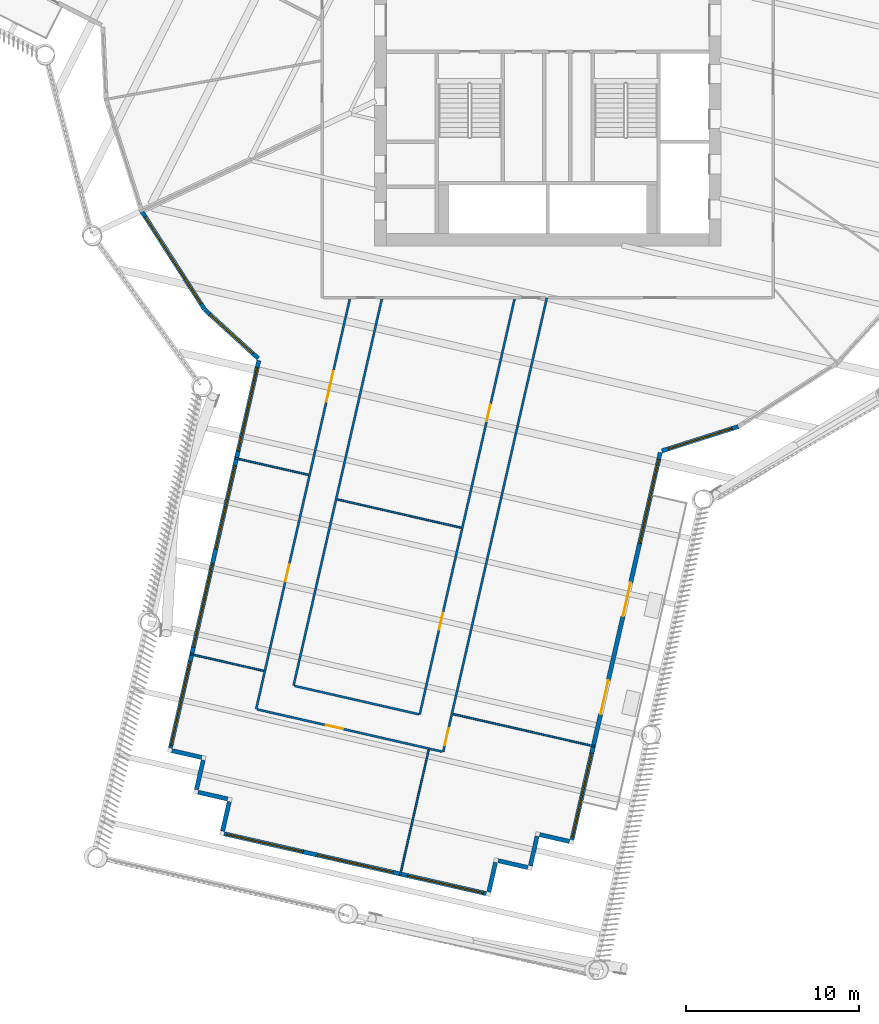
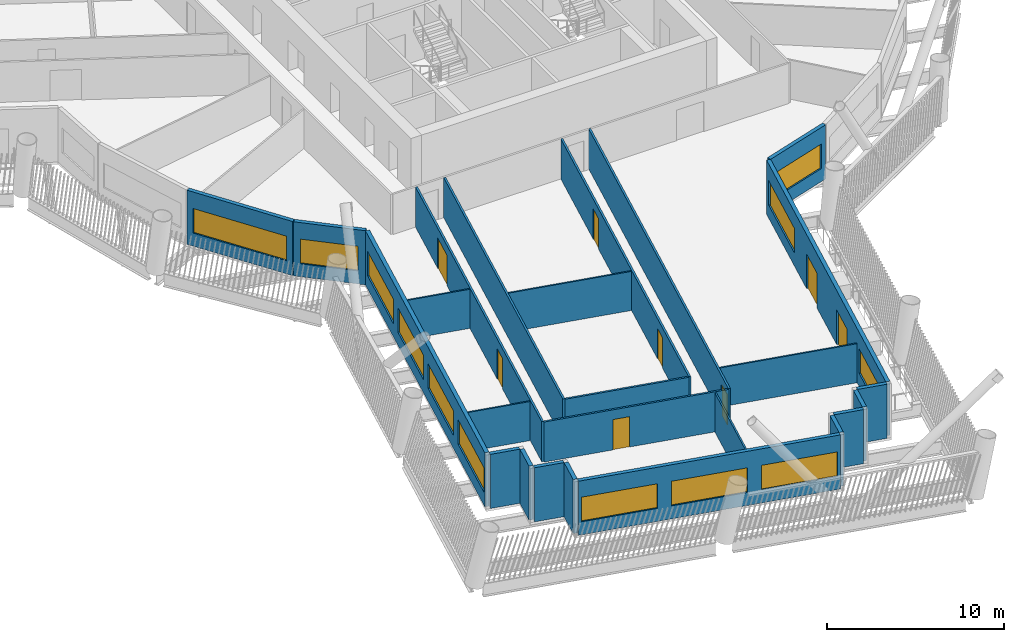
# One storey, part 3 of 21: 25 walls, 12 windows, 8 doors, 20 openings.
"""IFC4 building model written with IfcOpenShell, lengths in metres."""

from ifc_helpers import new_model, si_unit, direction, frame, frame_2d, origin, place, context, subcontext, project, spatial, rectangle, extrude, material, layer, layer_set, type_object, element, fill, save


model = new_model("IFC4")

# Units and contexts
model_context = context("Model", 3, precision=1e-05, world=origin(), true_north=direction((0.0, 1.0)))
body_context = subcontext(model_context, "Body", "Model", "MODEL_VIEW")
ifc_project = project(units=[si_unit("LENGTHUNIT", "METRE"), si_unit("AREAUNIT", "SQUARE_METRE"), si_unit("VOLUMEUNIT", "CUBIC_METRE"), si_unit("PLANEANGLEUNIT", "RADIAN"), si_unit("MASSUNIT", "GRAM", prefix="KILO")], contexts=[model_context])

# Site, building, storey
site_placement = place(None, origin())
site = spatial("IfcSite", under=ifc_project, at=site_placement, CompositionType="ELEMENT")
building_placement = place(site_placement, origin())
building = spatial("IfcBuilding", under=site, at=building_placement, Name="Tarsis Ring Headquarters", CompositionType="ELEMENT")
storey_placement = place(building_placement, frame((0.0, 0.0, 171.0)))
storey = spatial("IfcBuildingStorey", under=building, at=storey_placement, Name="L39", CompositionType="ELEMENT", Elevation=171.0)

# Walls
ifc_material_1 = material(Name="Gypsum board on steel studs", Category="steel")
ifc_layer_1 = layer(ifc_material_1, 0.10009765625)
ifc_layer_set_1 = layer_set([ifc_layer_1], Name="FL partition 100 unrated")
wall_type_1 = type_object("IfcWallType", Name="FL partition 100 unrated", PredefinedType="PARTITIONING", material=ifc_layer_set_1)
wall_1_placement = place(storey_placement, frame((-5.459228515625, -39.998291015625, 0.0), z_axis=(0.0, 0.0, 1.0), x_axis=(0.974918936036, -0.222560257366, 0.0)))
element("IfcWall", 1, at=wall_1_placement, inside=storey, type_object=wall_type_1, Name="Partition PW3", PredefinedType="PARTITIONING", context=body_context, shape_type="SweptSolid", body=[
    extrude(rectangle(XDim=8.369873046875, YDim=0.10009765625, at=frame_2d((4.18505859375, 0.0))), origin(), (0.0, 0.0, 1.0), 2.699951171875),
])
wall_2_placement = place(storey_placement, frame((-12.13232421875, -27.62255859375, 0.0), z_axis=(0.0, 0.0, 1.0), x_axis=(0.974919120293, -0.222559450231, 0.0)))
element("IfcWall", 2, at=wall_2_placement, inside=storey, type_object=wall_type_1, Name="Partition PW3", PredefinedType="PARTITIONING", context=body_context, shape_type="SweptSolid", body=[
    extrude(rectangle(XDim=7.320068359375, YDim=0.10009765625, at=frame_2d((3.66015625, 0.0))), origin(), (0.0, 0.0, 1.0), 2.699951171875),
])
wall_3_placement = place(storey_placement, frame((-8.514404296875, -49.29150390625, 0.0), z_axis=(0.0, 0.0, 1.0), x_axis=(0.222588042182, 0.974912592737, 0.0)))
element("IfcWall", 3, at=wall_3_placement, inside=storey, type_object=wall_type_1, Name="Partition PW3", PredefinedType="PARTITIONING", context=body_context, shape_type="SweptSolid", body=[
    extrude(rectangle(XDim=7.419921875, YDim=0.10009765625, at=frame_2d((3.7099609375, 0.0))), origin(), (0.0, 0.0, 1.0), 2.699951171875),
])
for number, where, z_axis, x_axis, name in (
    (4, (-20.599853515625, -36.541748046875, 0.0), (0.0, 0.0, 1.0), (0.97492250437, -0.222544625802, 0.0), "Partition PW3"),
    (5, (-18.020263671875, -25.242431640625, 0.0), (0.0, 0.0, 1.0), (0.97492250437, -0.222544625802, 0.0), "Partition PW3"),
):
    element("IfcWall", number, at=place(storey_placement, frame(where, z_axis=z_axis, x_axis=x_axis)), inside=storey, type_object=wall_type_1, Name=name, PredefinedType="PARTITIONING", context=body_context, shape_type="SweptSolid", body=[
        extrude(rectangle(XDim=4.330078125, YDim=0.10009765625, at=frame_2d((2.1650390625, 0.0))), origin(), (0.0, 0.0, 1.0), 2.699951171875),
    ])

# Wall, opening, door
ifc_layer_2 = layer(ifc_material_1, 0.125)
ifc_layer_set_2 = layer_set([ifc_layer_2], Name="FL partition 125 EI 60 H2770")
wall_type_2 = type_object("IfcWallType", Name="FL partition 125 EI 60 H2770", PredefinedType="PARTITIONING", material=ifc_layer_set_2)
wall_4_placement = place(storey_placement, frame((-6.0283203125, -42.17626953125, 0.0), z_axis=(0.0, 0.0, 1.0), x_axis=(0.222565798951, 0.974917670953, 0.0)))
wall_4 = element("IfcWall", 6, at=wall_4_placement, inside=storey, type_object=wall_type_2, Name="Partition PW1", PredefinedType="PARTITIONING", context=body_context, shape_type="SweptSolid", body=[
    extrude(rectangle(XDim=26.849609375, YDim=0.125, at=frame_2d((13.4248046875, 0.0))), origin(), (0.0, 0.0, 1.0), 2.77001953125),
])
opening_1_placement = place(wall_4_placement, frame((0.39990234375, 0.0, 0.0)))
opening_1 = element("IfcOpeningElement", 7, at=opening_1_placement, cuts=wall_4, Name="Opening D39.10", PredefinedType="OPENING", context=body_context, shape_type="SweptSolid", body=[
    extrude(rectangle(XDim=1.0, YDim=2.10009765625, at=frame_2d((0.5, 1.050048828125))), frame((0.0, 0.072509765625, 0.0), z_axis=(0.0, -1.0, 0.0), x_axis=(1.0, 0.0, 0.0)), (0.0, 0.0, 1.0), 0.14501953125),
])
ifc_material_2 = material(Name="Fire-rated timber door leaf in steel frame", Category="steel")
door_type_1 = type_object("IfcDoorType", Name="FL door FD60-1000", OperationType="NOTDEFINED", PredefinedType="DOOR", material=ifc_material_2)
door_1_placement = place(opening_1_placement, origin())
door_1 = element("IfcDoor", 8, at=door_1_placement, inside=storey, type_object=door_type_1, Name="Door D39.10", OperationType="SINGLE_SWING_LEFT", OverallHeight=2.10009765625, OverallWidth=1.0, PredefinedType="DOOR", context=body_context, shape_type="SweptSolid", body=[
    extrude(rectangle(XDim=1.0, YDim=2.10009765625, at=frame_2d((0.5, 1.050048828125))), frame((0.0, 0.02490234375, 0.0), z_axis=(0.0, -1.0, 0.0), x_axis=(1.0, 0.0, 0.0)), (0.0, 0.0, 1.0), 0.050048828125),
])
fill(opening_1, door_1)

# Wall, openings, doors
wall_5_placement = place(storey_placement, frame((-7.382568359375, -40.020751953125, 0.0), z_axis=(0.0, 0.0, 1.0), x_axis=(0.222568467524, 0.974917061736, 0.0)))
wall_5 = element("IfcWall", 9, at=wall_5_placement, inside=storey, type_object=wall_type_2, Name="Partition PW1", PredefinedType="PARTITIONING", context=body_context, shape_type="SweptSolid", body=[
    extrude(rectangle(XDim=24.56884765625, YDim=0.125, at=frame_2d((12.284423828125, 0.0))), origin(), (0.0, 0.0, 1.0), 2.77001953125),
])
opening_2_placement = place(wall_5_placement, frame((17.336181640625, 0.0, 0.0)))
opening_2 = element("IfcOpeningElement", 10, at=opening_2_placement, cuts=wall_5, Name="Opening D39.18", PredefinedType="OPENING", context=body_context, shape_type="SweptSolid", body=[
    extrude(rectangle(XDim=1.0, YDim=2.10009765625, at=frame_2d((0.5, 1.050048828125))), frame((0.0, 0.072509765625, 0.0), z_axis=(0.0, -1.0, 0.0), x_axis=(1.0, 0.0, 0.0)), (0.0, 0.0, 1.0), 0.14501953125),
])
opening_3_placement = place(wall_5_placement, frame((5.016845703125, 0.0, 0.0)))
opening_3 = element("IfcOpeningElement", 11, at=opening_3_placement, cuts=wall_5, Name="Opening D39.19", PredefinedType="OPENING", context=body_context, shape_type="SweptSolid", body=[
    extrude(rectangle(XDim=1.0, YDim=2.10009765625, at=frame_2d((0.5, 1.050048828125))), frame((0.0, 0.072509765625, 0.0), z_axis=(0.0, -1.0, 0.0), x_axis=(1.0, 0.0, 0.0)), (0.0, 0.0, 1.0), 0.14501953125),
])
door_2_placement = place(opening_2_placement, origin())
door_2 = element("IfcDoor", 12, at=door_2_placement, inside=storey, type_object=door_type_1, Name="Door D39.18", OperationType="SINGLE_SWING_LEFT", OverallHeight=2.10009765625, OverallWidth=1.0, PredefinedType="DOOR", context=body_context, shape_type="SweptSolid", body=[
    extrude(rectangle(XDim=1.0, YDim=2.10009765625, at=frame_2d((0.5, 1.050048828125))), frame((0.0, 0.02490234375, 0.0), z_axis=(0.0, -1.0, 0.0), x_axis=(1.0, 0.0, 0.0)), (0.0, 0.0, 1.0), 0.050048828125),
])
fill(opening_2, door_2)
door_3_placement = place(opening_3_placement, origin())
door_3 = element("IfcDoor", 13, at=door_3_placement, inside=storey, type_object=door_type_1, Name="Door D39.19", OperationType="SINGLE_SWING_RIGHT", OverallHeight=2.10009765625, OverallWidth=1.0, PredefinedType="DOOR", context=body_context, shape_type="SweptSolid", body=[
    extrude(rectangle(XDim=1.0, YDim=2.10009765625, at=frame_2d((0.5, 1.050048828125))), frame((0.0, 0.02490234375, 0.0), z_axis=(0.0, -1.0, 0.0), x_axis=(1.0, 0.0, 0.0)), (0.0, 0.0, 1.0), 0.050048828125),
])
fill(opening_3, door_3)

wall_6_placement = place(storey_placement, frame((-16.810791015625, -39.714599609375, 0.0), z_axis=(0.0, 0.0, 1.0), x_axis=(0.222561594975, 0.974918630678, 0.0)))
wall_6 = element("IfcWall", 14, at=wall_6_placement, inside=storey, type_object=wall_type_2, Name="Partition PW1", PredefinedType="PARTITIONING", context=body_context, shape_type="SweptSolid", body=[
    extrude(rectangle(XDim=24.2548828125, YDim=0.125, at=frame_2d((12.12744140625, 0.0))), origin(), (0.0, 0.0, 1.0), 2.77001953125),
])
opening_4_placement = place(wall_6_placement, frame((7.5458984375, 0.0, 0.0)))
opening_4 = element("IfcOpeningElement", 15, at=opening_4_placement, cuts=wall_6, Name="Opening D39.12", PredefinedType="OPENING", context=body_context, shape_type="SweptSolid", body=[
    extrude(rectangle(XDim=1.0, YDim=2.10009765625, at=frame_2d((0.5, 1.050048828125))), frame((0.0, 0.072509765625, 0.0), z_axis=(0.0, -1.0, 0.0), x_axis=(1.0, 0.0, 0.0)), (0.0, 0.0, 1.0), 0.14501953125),
])
opening_5_placement = place(wall_6_placement, frame((18.181884765625, 0.0, 0.0)))
opening_5 = element("IfcOpeningElement", 16, at=opening_5_placement, cuts=wall_6, Name="Opening D39.13", PredefinedType="OPENING", context=body_context, shape_type="SweptSolid", body=[
    extrude(rectangle(XDim=1.800048828125, YDim=2.10009765625, at=frame_2d((0.89990234375, 1.050048828125))), frame((0.0, 0.072509765625, 0.0), z_axis=(0.0, -1.0, 0.0), x_axis=(1.0, 0.0, 0.0)), (0.0, 0.0, 1.0), 0.14501953125),
])
door_4_placement = place(opening_4_placement, origin())
door_4 = element("IfcDoor", 17, at=door_4_placement, inside=storey, type_object=door_type_1, Name="Door D39.12", OperationType="SINGLE_SWING_LEFT", OverallHeight=2.10009765625, OverallWidth=1.0, PredefinedType="DOOR", context=body_context, shape_type="SweptSolid", body=[
    extrude(rectangle(XDim=1.0, YDim=2.10009765625, at=frame_2d((0.5, 1.050048828125))), frame((0.0, 0.02490234375, 0.0), z_axis=(0.0, -1.0, 0.0), x_axis=(1.0, 0.0, 0.0)), (0.0, 0.0, 1.0), 0.050048828125),
])
fill(opening_4, door_4)
door_type_2 = type_object("IfcDoorType", Name="FL door FD60-1800", OperationType="DOUBLE_DOOR_SINGLE_SWING", PredefinedType="DOOR", material=ifc_material_2)
door_5_placement = place(opening_5_placement, origin())
door_5 = element("IfcDoor", 18, at=door_5_placement, inside=storey, type_object=door_type_2, Name="Door D39.13", OperationType="DOUBLE_DOOR_SINGLE_SWING", OverallHeight=2.10009765625, OverallWidth=1.800048828125, PredefinedType="DOOR", context=body_context, shape_type="SweptSolid", body=[
    extrude(rectangle(XDim=1.800048828125, YDim=2.10009765625, at=frame_2d((0.89990234375, 1.050048828125))), frame((0.0, 0.02490234375, 0.0), z_axis=(0.0, -1.0, 0.0), x_axis=(1.0, 0.0, 0.0)), (0.0, 0.0, 1.0), 0.050048828125),
])
fill(opening_5, door_5)

# Wall
wall_7_placement = place(storey_placement, frame((-14.655517578125, -38.3603515625, 0.0), z_axis=(0.0, 0.0, 1.0), x_axis=(0.222564740475, 0.974917912594, 0.0)))
element("IfcWall", 19, at=wall_7_placement, inside=storey, type_object=wall_type_2, Name="Partition PW1", PredefinedType="PARTITIONING", context=body_context, shape_type="SweptSolid", body=[
    extrude(rectangle(XDim=22.86572265625, YDim=0.125, at=frame_2d((11.432861328125, 0.0))), origin(), (0.0, 0.0, 1.0), 2.77001953125),
])

# Wall, opening, door
wall_8_placement = place(storey_placement, frame((-16.75244140625, -39.727783203125, 0.0), z_axis=(0.0, 0.0, 1.0), x_axis=(0.974913601155, -0.22258362537, 0.0)))
wall_8 = element("IfcWall", 20, at=wall_8_placement, inside=storey, type_object=wall_type_2, Name="Partition PW1", PredefinedType="PARTITIONING", context=body_context, shape_type="SweptSolid", body=[
    extrude(rectangle(XDim=10.93994140625, YDim=0.125, at=frame_2d((5.469970703125, 0.0))), origin(), (0.0, 0.0, 1.0), 2.77001953125),
])
opening_6_placement = place(wall_8_placement, frame((4.070068359375, 0.0, 0.0)))
opening_6 = element("IfcOpeningElement", 21, at=opening_6_placement, cuts=wall_8, Name="Opening D39.11", PredefinedType="OPENING", context=body_context, shape_type="SweptSolid", body=[
    extrude(rectangle(XDim=1.0, YDim=2.10009765625, at=frame_2d((0.5, 1.050048828125))), frame((0.0, 0.072509765625, 0.0), z_axis=(0.0, -1.0, 0.0), x_axis=(1.0, 0.0, 0.0)), (0.0, 0.0, 1.0), 0.14501953125),
])
door_6_placement = place(opening_6_placement, origin())
door_6 = element("IfcDoor", 22, at=door_6_placement, inside=storey, type_object=door_type_1, Name="Door D39.11", OperationType="SINGLE_SWING_RIGHT", OverallHeight=2.10009765625, OverallWidth=1.0, PredefinedType="DOOR", context=body_context, shape_type="SweptSolid", body=[
    extrude(rectangle(XDim=1.0, YDim=2.10009765625, at=frame_2d((0.5, 1.050048828125))), frame((0.0, 0.02490234375, 0.0), z_axis=(0.0, -1.0, 0.0), x_axis=(1.0, 0.0, 0.0)), (0.0, 0.0, 1.0), 0.050048828125),
])
fill(opening_6, door_6)

# Wall
wall_9_placement = place(storey_placement, frame((-14.596923828125, -38.373779296875, 0.0), z_axis=(0.0, 0.0, 1.0), x_axis=(0.974919369416, -0.222558358948, 0.0)))
element("IfcWall", 23, at=wall_9_placement, inside=storey, type_object=wall_type_2, Name="Partition PW1", PredefinedType="PARTITIONING", context=body_context, shape_type="SweptSolid", body=[
    extrude(rectangle(XDim=7.33984375, YDim=0.125, at=frame_2d((3.669921875, 0.0))), origin(), (0.0, 0.0, 1.0), 2.77001953125),
])

# Wall, opening, window
ifc_material_3 = material(Name="Terracotta clad insulated panel wall", Category="masonry")
ifc_layer_3 = layer(ifc_material_3, 0.25)
ifc_layer_set_3 = layer_set([ifc_layer_3], Name="Facade wall terracotta panel 250")
wall_type_3 = type_object("IfcWallType", Name="Facade wall terracotta panel 250", PredefinedType="STANDARD", material=ifc_layer_set_3)
wall_10_placement = place(storey_placement, frame((-23.4140625, -11.005859375, 0.0), z_axis=(0.0, 0.0, 1.0), x_axis=(0.539343291186, -0.842085989821, 0.0)))
wall_10 = element("IfcWall", 24, at=wall_10_placement, inside=storey, type_object=wall_type_3, Name="External wall L39-04", PredefinedType="STANDARD", context=body_context, shape_type="SweptSolid", body=[
    extrude(rectangle(XDim=6.7216796875, YDim=0.25, at=frame_2d((3.36083984375, 0.0))), origin(), (0.0, 0.0, 1.0), 3.739990234375),
])
opening_7_placement = place(wall_10_placement, frame((0.3857421875, 0.0, 0.89990234375)))
opening_7 = element("IfcOpeningElement", 25, at=opening_7_placement, cuts=wall_10, Name="Opening WN07", PredefinedType="OPENING", context=body_context, shape_type="SweptSolid", body=[
    extrude(rectangle(XDim=5.949951171875, YDim=1.699951171875, at=frame_2d((2.97509765625, 0.85009765625))), frame((0.0, 0.135009765625, 0.0), z_axis=(0.0, -1.0, 0.0), x_axis=(1.0, 0.0, 0.0)), (0.0, 0.0, 1.0), 0.27001953125),
])
ifc_material_4 = material(Name="Aluminium framed double glazing", Category="aluminium")
window_type_1 = type_object("IfcWindowType", Name="Facade window 5950 x 1700", PartitioningType="SINGLE_PANEL", PredefinedType="WINDOW", material=ifc_material_4)
window_1_placement = place(opening_7_placement, origin())
window_1 = element("IfcWindow", 26, at=window_1_placement, inside=storey, type_object=window_type_1, Name="Window L39-04.1", OverallHeight=1.699951171875, OverallWidth=5.949951171875, PartitioningType="SINGLE_PANEL", PredefinedType="WINDOW", context=body_context, shape_type="SweptSolid", body=[
    extrude(rectangle(XDim=5.949951171875, YDim=1.699951171875, at=frame_2d((2.97509765625, 0.85009765625))), frame((0.0, 0.030029296875, 0.0), z_axis=(0.0, -1.0, 0.0), x_axis=(1.0, 0.0, 0.0)), (0.0, 0.0, 1.0), 0.06005859375),
])
fill(opening_7, window_1)

wall_11_placement = place(storey_placement, frame((-19.767822265625, -16.69091796875, 0.0), z_axis=(0.0, 0.0, 1.0), x_axis=(0.738945525345, -0.673765174651, 0.0)))
wall_11 = element("IfcWall", 27, at=wall_11_placement, inside=storey, type_object=wall_type_3, Name="External wall L39-05", PredefinedType="STANDARD", context=body_context, shape_type="SweptSolid", body=[
    extrude(rectangle(XDim=4.15771484375, YDim=0.25, at=frame_2d((2.078857421875, 0.0))), origin(), (0.0, 0.0, 1.0), 3.739990234375),
])
opening_8_placement = place(wall_11_placement, frame((0.38720703125, 0.0, 0.89990234375)))
opening_8 = element("IfcOpeningElement", 28, at=opening_8_placement, cuts=wall_11, Name="Opening WN01", PredefinedType="OPENING", context=body_context, shape_type="SweptSolid", body=[
    extrude(rectangle(XDim=3.35009765625, YDim=1.699951171875, at=frame_2d((1.675048828125, 0.85009765625))), frame((0.0, 0.135009765625, 0.0), z_axis=(0.0, -1.0, 0.0), x_axis=(1.0, 0.0, 0.0)), (0.0, 0.0, 1.0), 0.27001953125),
])
window_type_2 = type_object("IfcWindowType", Name="Facade window 3350 x 1700", PartitioningType="SINGLE_PANEL", PredefinedType="WINDOW", material=ifc_material_4)
window_2_placement = place(opening_8_placement, origin())
window_2 = element("IfcWindow", 29, at=window_2_placement, inside=storey, type_object=window_type_2, Name="Window L39-05.1", OverallHeight=1.699951171875, OverallWidth=3.35009765625, PartitioningType="SINGLE_PANEL", PredefinedType="WINDOW", context=body_context, shape_type="SweptSolid", body=[
    extrude(rectangle(XDim=3.35009765625, YDim=1.699951171875, at=frame_2d((1.675048828125, 0.85009765625))), frame((0.0, 0.030029296875, 0.0), z_axis=(0.0, -1.0, 0.0), x_axis=(1.0, 0.0, 0.0)), (0.0, 0.0, 1.0), 0.06005859375),
])
fill(opening_8, window_2)

# Wall, openings, windows
wall_12_placement = place(storey_placement, frame((-16.657958984375, -19.6123046875, 0.0), z_axis=(0.0, 0.0, 1.0), x_axis=(-0.222571164513, -0.974916446024, 0.0)))
wall_12 = element("IfcWall", 30, at=wall_12_placement, inside=storey, type_object=wall_type_3, Name="External wall L39-06", PredefinedType="STANDARD", context=body_context, shape_type="SweptSolid", body=[
    extrude(rectangle(XDim=22.922119140625, YDim=0.25, at=frame_2d((11.4609375, 0.0))), origin(), (0.0, 0.0, 1.0), 3.739990234375),
])
opening_9_placement = place(wall_12_placement, frame((0.42138671875, 0.0, 0.89990234375)))
opening_9 = element("IfcOpeningElement", 31, at=opening_9_placement, cuts=wall_12, Name="Opening WN05", PredefinedType="OPENING", context=body_context, shape_type="SweptSolid", body=[
    extrude(rectangle(XDim=4.949951171875, YDim=1.699951171875, at=frame_2d((2.47509765625, 0.85009765625))), frame((0.0, 0.135009765625, 0.0), z_axis=(0.0, -1.0, 0.0), x_axis=(1.0, 0.0, 0.0)), (0.0, 0.0, 1.0), 0.27001953125),
])
opening_10_placement = place(wall_12_placement, frame((6.214599609375, 0.0, 0.89990234375)))
opening_10 = element("IfcOpeningElement", 32, at=opening_10_placement, cuts=wall_12, Name="Opening WN05", PredefinedType="OPENING", context=body_context, shape_type="SweptSolid", body=[
    extrude(rectangle(XDim=4.949951171875, YDim=1.699951171875, at=frame_2d((2.47509765625, 0.85009765625))), frame((0.0, 0.135009765625, 0.0), z_axis=(0.0, -1.0, 0.0), x_axis=(1.0, 0.0, 0.0)), (0.0, 0.0, 1.0), 0.27001953125),
])
opening_11_placement = place(wall_12_placement, frame((12.007568359375, 0.0, 0.89990234375)))
opening_11 = element("IfcOpeningElement", 33, at=opening_11_placement, cuts=wall_12, Name="Opening WN05", PredefinedType="OPENING", context=body_context, shape_type="SweptSolid", body=[
    extrude(rectangle(XDim=4.949951171875, YDim=1.699951171875, at=frame_2d((2.47509765625, 0.85009765625))), frame((0.0, 0.135009765625, 0.0), z_axis=(0.0, -1.0, 0.0), x_axis=(1.0, 0.0, 0.0)), (0.0, 0.0, 1.0), 0.27001953125),
])
opening_12_placement = place(wall_12_placement, frame((17.800537109375, 0.0, 0.89990234375)))
opening_12 = element("IfcOpeningElement", 34, at=opening_12_placement, cuts=wall_12, Name="Opening WN05", PredefinedType="OPENING", context=body_context, shape_type="SweptSolid", body=[
    extrude(rectangle(XDim=4.949951171875, YDim=1.699951171875, at=frame_2d((2.47509765625, 0.85009765625))), frame((0.0, 0.135009765625, 0.0), z_axis=(0.0, -1.0, 0.0), x_axis=(1.0, 0.0, 0.0)), (0.0, 0.0, 1.0), 0.27001953125),
])
window_type_3 = type_object("IfcWindowType", Name="Facade window 4950 x 1700", PartitioningType="SINGLE_PANEL", PredefinedType="WINDOW", material=ifc_material_4)
window_3_placement = place(opening_9_placement, origin())
window_3 = element("IfcWindow", 35, at=window_3_placement, inside=storey, type_object=window_type_3, Name="Window L39-06.1", OverallHeight=1.699951171875, OverallWidth=4.949951171875, PartitioningType="SINGLE_PANEL", PredefinedType="WINDOW", context=body_context, shape_type="SweptSolid", body=[
    extrude(rectangle(XDim=4.949951171875, YDim=1.699951171875, at=frame_2d((2.47509765625, 0.85009765625))), frame((0.0, 0.030029296875, 0.0), z_axis=(0.0, -1.0, 0.0), x_axis=(1.0, 0.0, 0.0)), (0.0, 0.0, 1.0), 0.06005859375),
])
fill(opening_9, window_3)
window_4_placement = place(opening_10_placement, origin())
window_4 = element("IfcWindow", 36, at=window_4_placement, inside=storey, type_object=window_type_3, Name="Window L39-06.2", OverallHeight=1.699951171875, OverallWidth=4.949951171875, PartitioningType="SINGLE_PANEL", PredefinedType="WINDOW", context=body_context, shape_type="SweptSolid", body=[
    extrude(rectangle(XDim=4.949951171875, YDim=1.699951171875, at=frame_2d((2.47509765625, 0.85009765625))), frame((0.0, 0.030029296875, 0.0), z_axis=(0.0, -1.0, 0.0), x_axis=(1.0, 0.0, 0.0)), (0.0, 0.0, 1.0), 0.06005859375),
])
fill(opening_10, window_4)
window_5_placement = place(opening_11_placement, origin())
window_5 = element("IfcWindow", 37, at=window_5_placement, inside=storey, type_object=window_type_3, Name="Window L39-06.3", OverallHeight=1.699951171875, OverallWidth=4.949951171875, PartitioningType="SINGLE_PANEL", PredefinedType="WINDOW", context=body_context, shape_type="SweptSolid", body=[
    extrude(rectangle(XDim=4.949951171875, YDim=1.699951171875, at=frame_2d((2.47509765625, 0.85009765625))), frame((0.0, 0.030029296875, 0.0), z_axis=(0.0, -1.0, 0.0), x_axis=(1.0, 0.0, 0.0)), (0.0, 0.0, 1.0), 0.06005859375),
])
fill(opening_11, window_5)
window_6_placement = place(opening_12_placement, origin())
window_6 = element("IfcWindow", 38, at=window_6_placement, inside=storey, type_object=window_type_3, Name="Window L39-06.4", OverallHeight=1.699951171875, OverallWidth=4.949951171875, PartitioningType="SINGLE_PANEL", PredefinedType="WINDOW", context=body_context, shape_type="SweptSolid", body=[
    extrude(rectangle(XDim=4.949951171875, YDim=1.699951171875, at=frame_2d((2.47509765625, 0.85009765625))), frame((0.0, 0.030029296875, 0.0), z_axis=(0.0, -1.0, 0.0), x_axis=(1.0, 0.0, 0.0)), (0.0, 0.0, 1.0), 0.06005859375),
])
fill(opening_12, window_6)

# Walls
for number, where, z_axis, x_axis, name in (
    (39, (-21.665771484375, -42.109130859375, 0.0), (0.0, 0.0, 1.0), (0.974933771932, -0.222495259155, 0.0), "External wall L39-07"),
    (40, (-19.865478515625, -42.648193359375, 0.0), (0.0, 0.0, 1.0), (-0.222495259155, -0.974933771932, 0.0), "External wall L39-08"),
):
    element("IfcWall", number, at=place(storey_placement, frame(where, z_axis=z_axis, x_axis=x_axis)), inside=storey, type_object=wall_type_3, Name=name, PredefinedType="STANDARD", context=body_context, shape_type="SweptSolid", body=[
        extrude(rectangle(XDim=1.750244140625, YDim=0.25, at=frame_2d((0.875, 0.0))), origin(), (0.0, 0.0, 1.0), 3.739990234375),
    ])
for number, where, z_axis, x_axis, name in (
    (41, (-20.160888671875, -44.504150390625, 0.0), (0.0, 0.0, 1.0), (0.97492686492, -0.222525522259, 0.0), "External wall L39-09"),
    (42, (-18.36083984375, -45.043212890625, 0.0), (0.0, 0.0, 1.0), (-0.222525522259, -0.97492686492, 0.0), "External wall L39-10"),
):
    element("IfcWall", number, at=place(storey_placement, frame(where, z_axis=z_axis, x_axis=x_axis)), inside=storey, type_object=wall_type_3, Name=name, PredefinedType="STANDARD", context=body_context, shape_type="SweptSolid", body=[
        extrude(rectangle(XDim=1.75, YDim=0.25, at=frame_2d((0.875, 0.0))), origin(), (0.0, 0.0, 1.0), 3.739990234375),
    ])

# Wall, openings, windows
wall_13_placement = place(storey_placement, frame((-18.65625, -46.899169921875, 0.0), z_axis=(0.0, 0.0, 1.0), x_axis=(0.974918103676, -0.222563903465, 0.0)))
wall_13 = element("IfcWall", 43, at=wall_13_placement, inside=storey, type_object=wall_type_3, Name="External wall L39-11", PredefinedType="STANDARD", context=body_context, shape_type="SweptSolid", body=[
    extrude(rectangle(XDim=15.499755859375, YDim=0.25, at=frame_2d((7.75, 0.0))), origin(), (0.0, 0.0, 1.0), 3.739990234375),
])
opening_13_placement = place(wall_13_placement, frame((0.166748046875, 0.0, 0.89990234375)))
opening_13 = element("IfcOpeningElement", 44, at=opening_13_placement, cuts=wall_13, Name="Opening WN04", PredefinedType="OPENING", context=body_context, shape_type="SweptSolid", body=[
    extrude(rectangle(XDim=4.5, YDim=1.699951171875, at=frame_2d((2.25, 0.85009765625))), frame((0.0, 0.135009765625, 0.0), z_axis=(0.0, -1.0, 0.0), x_axis=(1.0, 0.0, 0.0)), (0.0, 0.0, 1.0), 0.27001953125),
])
opening_14_placement = place(wall_13_placement, frame((5.5, 0.0, 0.89990234375)))
opening_14 = element("IfcOpeningElement", 45, at=opening_14_placement, cuts=wall_13, Name="Opening WN04", PredefinedType="OPENING", context=body_context, shape_type="SweptSolid", body=[
    extrude(rectangle(XDim=4.5, YDim=1.699951171875, at=frame_2d((2.25, 0.85009765625))), frame((0.0, 0.135009765625, 0.0), z_axis=(0.0, -1.0, 0.0), x_axis=(1.0, 0.0, 0.0)), (0.0, 0.0, 1.0), 0.27001953125),
])
opening_15_placement = place(wall_13_placement, frame((10.833251953125, 0.0, 0.89990234375)))
opening_15 = element("IfcOpeningElement", 46, at=opening_15_placement, cuts=wall_13, Name="Opening WN04", PredefinedType="OPENING", context=body_context, shape_type="SweptSolid", body=[
    extrude(rectangle(XDim=4.5, YDim=1.699951171875, at=frame_2d((2.25, 0.85009765625))), frame((0.0, 0.135009765625, 0.0), z_axis=(0.0, -1.0, 0.0), x_axis=(1.0, 0.0, 0.0)), (0.0, 0.0, 1.0), 0.27001953125),
])
window_type_4 = type_object("IfcWindowType", Name="Facade window 4500 x 1700", PartitioningType="SINGLE_PANEL", PredefinedType="WINDOW", material=ifc_material_4)
window_7_placement = place(opening_13_placement, origin())
window_7 = element("IfcWindow", 47, at=window_7_placement, inside=storey, type_object=window_type_4, Name="Window L39-11.1", OverallHeight=1.699951171875, OverallWidth=4.5, PartitioningType="SINGLE_PANEL", PredefinedType="WINDOW", context=body_context, shape_type="SweptSolid", body=[
    extrude(rectangle(XDim=4.5, YDim=1.699951171875, at=frame_2d((2.25, 0.85009765625))), frame((0.0, 0.030029296875, 0.0), z_axis=(0.0, -1.0, 0.0), x_axis=(1.0, 0.0, 0.0)), (0.0, 0.0, 1.0), 0.06005859375),
])
fill(opening_13, window_7)
window_8_placement = place(opening_14_placement, origin())
window_8 = element("IfcWindow", 48, at=window_8_placement, inside=storey, type_object=window_type_4, Name="Window L39-11.2", OverallHeight=1.699951171875, OverallWidth=4.5, PartitioningType="SINGLE_PANEL", PredefinedType="WINDOW", context=body_context, shape_type="SweptSolid", body=[
    extrude(rectangle(XDim=4.5, YDim=1.699951171875, at=frame_2d((2.25, 0.85009765625))), frame((0.0, 0.030029296875, 0.0), z_axis=(0.0, -1.0, 0.0), x_axis=(1.0, 0.0, 0.0)), (0.0, 0.0, 1.0), 0.06005859375),
])
fill(opening_14, window_8)
window_9_placement = place(opening_15_placement, origin())
window_9 = element("IfcWindow", 49, at=window_9_placement, inside=storey, type_object=window_type_4, Name="Window L39-11.3", OverallHeight=1.699951171875, OverallWidth=4.5, PartitioningType="SINGLE_PANEL", PredefinedType="WINDOW", context=body_context, shape_type="SweptSolid", body=[
    extrude(rectangle(XDim=4.5, YDim=1.699951171875, at=frame_2d((2.25, 0.85009765625))), frame((0.0, 0.030029296875, 0.0), z_axis=(0.0, -1.0, 0.0), x_axis=(1.0, 0.0, 0.0)), (0.0, 0.0, 1.0), 0.06005859375),
])
fill(opening_15, window_9)

# Walls
for number, where, z_axis, x_axis, name in (
    (50, (-3.395263671875, -50.2548828125, 0.0), (0.0, 0.0, 1.0), (0.222525522259, 0.97492686492, 0.0), "External wall L39-12"),
    (51, (-2.856201171875, -48.45458984375, 0.0), (0.0, 0.0, 1.0), (0.974896589729, -0.222658122096, 0.0), "External wall L39-13"),
):
    element("IfcWall", number, at=place(storey_placement, frame(where, z_axis=z_axis, x_axis=x_axis)), inside=storey, type_object=wall_type_3, Name=name, PredefinedType="STANDARD", context=body_context, shape_type="SweptSolid", body=[
        extrude(rectangle(XDim=1.75, YDim=0.25, at=frame_2d((0.875, 0.0))), origin(), (0.0, 0.0, 1.0), 3.739990234375),
    ])
wall_14_placement = place(storey_placement, frame((-1.00048828125, -48.750244140625, 0.0), z_axis=(0.0, 0.0, 1.0), x_axis=(0.222627842838, 0.97490350476, 0.0)))
element("IfcWall", 52, at=wall_14_placement, inside=storey, type_object=wall_type_3, Name="External wall L39-14", PredefinedType="STANDARD", context=body_context, shape_type="SweptSolid", body=[
    extrude(rectangle(XDim=1.750244140625, YDim=0.25, at=frame_2d((0.875, 0.0))), origin(), (0.0, 0.0, 1.0), 3.739990234375),
])
wall_15_placement = place(storey_placement, frame((-0.461181640625, -46.949951171875, 0.0), z_axis=(0.0, 0.0, 1.0), x_axis=(0.974896589729, -0.222658122096, 0.0)))
element("IfcWall", 53, at=wall_15_placement, inside=storey, type_object=wall_type_3, Name="External wall L39-15", PredefinedType="STANDARD", context=body_context, shape_type="SweptSolid", body=[
    extrude(rectangle(XDim=1.75, YDim=0.25, at=frame_2d((0.875, 0.0))), origin(), (0.0, 0.0, 1.0), 3.739990234375),
])

# Wall, openings, doors, windows
wall_16_placement = place(storey_placement, frame((1.39453125, -47.245361328125, 0.0), z_axis=(0.0, 0.0, 1.0), x_axis=(0.222572958026, 0.974916036567, 0.0)))
wall_16 = element("IfcWall", 54, at=wall_16_placement, inside=storey, type_object=wall_type_3, Name="External wall L39-16", PredefinedType="STANDARD", context=body_context, shape_type="SweptSolid", body=[
    extrude(rectangle(XDim=22.901123046875, YDim=0.25, at=frame_2d((11.45068359375, 0.0))), origin(), (0.0, 0.0, 1.0), 3.739990234375),
])
opening_16_placement = place(wall_16_placement, frame((0.1689453125, 0.0, 0.89990234375)))
opening_16 = element("IfcOpeningElement", 55, at=opening_16_placement, cuts=wall_16, Name="Opening WN05", PredefinedType="OPENING", context=body_context, shape_type="SweptSolid", body=[
    extrude(rectangle(XDim=4.949951171875, YDim=1.699951171875, at=frame_2d((2.47509765625, 0.85009765625))), frame((0.0, 0.135009765625, 0.0), z_axis=(0.0, -1.0, 0.0), x_axis=(1.0, 0.0, 0.0)), (0.0, 0.0, 1.0), 0.27001953125),
])
opening_17_placement = place(wall_16_placement, frame((7.431640625, 0.0, 0.0)))
opening_17 = element("IfcOpeningElement", 56, at=opening_17_placement, cuts=wall_16, Name="Opening L39-BD03", PredefinedType="OPENING", context=body_context, shape_type="SweptSolid", body=[
    extrude(rectangle(XDim=2.0, YDim=2.39990234375, at=frame_2d((1.0, 1.199951171875))), frame((0.0, 0.135009765625, 0.0), z_axis=(0.0, -1.0, 0.0), x_axis=(1.0, 0.0, 0.0)), (0.0, 0.0, 1.0), 0.27001953125),
])
opening_18_placement = place(wall_16_placement, frame((13.219482421875, 0.0, 0.0)))
opening_18 = element("IfcOpeningElement", 57, at=opening_18_placement, cuts=wall_16, Name="Opening L39-BD04", PredefinedType="OPENING", context=body_context, shape_type="SweptSolid", body=[
    extrude(rectangle(XDim=2.0, YDim=2.39990234375, at=frame_2d((1.0, 1.199951171875))), frame((0.0, 0.135009765625, 0.0), z_axis=(0.0, -1.0, 0.0), x_axis=(1.0, 0.0, 0.0)), (0.0, 0.0, 1.0), 0.27001953125),
])
opening_19_placement = place(wall_16_placement, frame((17.532470703125, 0.0, 0.89990234375)))
opening_19 = element("IfcOpeningElement", 58, at=opening_19_placement, cuts=wall_16, Name="Opening WN05", PredefinedType="OPENING", context=body_context, shape_type="SweptSolid", body=[
    extrude(rectangle(XDim=4.949951171875, YDim=1.699951171875, at=frame_2d((2.47509765625, 0.85009765625))), frame((0.0, 0.135009765625, 0.0), z_axis=(0.0, -1.0, 0.0), x_axis=(1.0, 0.0, 0.0)), (0.0, 0.0, 1.0), 0.27001953125),
])
door_type_3 = type_object("IfcDoorType", Name="Balcony sliding door 2000 x 2400", OperationType="SLIDING_TO_LEFT", PredefinedType="DOOR", material=ifc_material_4)
door_7_placement = place(opening_17_placement, origin())
door_7 = element("IfcDoor", 59, at=door_7_placement, inside=storey, type_object=door_type_3, Name="Door L39-BD03", OperationType="SINGLE_SWING_LEFT", OverallHeight=2.39990234375, OverallWidth=2.0, PredefinedType="DOOR", context=body_context, shape_type="SweptSolid", body=[
    extrude(rectangle(XDim=2.0, YDim=2.39990234375, at=frame_2d((1.0, 1.199951171875))), frame((0.0, 0.02490234375, 0.0), z_axis=(0.0, -1.0, 0.0), x_axis=(1.0, 0.0, 0.0)), (0.0, 0.0, 1.0), 0.050048828125),
])
fill(opening_17, door_7)
door_8_placement = place(opening_18_placement, origin())
door_8 = element("IfcDoor", 60, at=door_8_placement, inside=storey, type_object=door_type_3, Name="Door L39-BD04", OperationType="SINGLE_SWING_LEFT", OverallHeight=2.39990234375, OverallWidth=2.0, PredefinedType="DOOR", context=body_context, shape_type="SweptSolid", body=[
    extrude(rectangle(XDim=2.0, YDim=2.39990234375, at=frame_2d((1.0, 1.199951171875))), frame((0.0, 0.02490234375, 0.0), z_axis=(0.0, -1.0, 0.0), x_axis=(1.0, 0.0, 0.0)), (0.0, 0.0, 1.0), 0.050048828125),
])
fill(opening_18, door_8)
window_10_placement = place(opening_16_placement, origin())
window_10 = element("IfcWindow", 61, at=window_10_placement, inside=storey, type_object=window_type_3, Name="Window L39-16.1", OverallHeight=1.699951171875, OverallWidth=4.949951171875, PartitioningType="SINGLE_PANEL", PredefinedType="WINDOW", context=body_context, shape_type="SweptSolid", body=[
    extrude(rectangle(XDim=4.949951171875, YDim=1.699951171875, at=frame_2d((2.47509765625, 0.85009765625))), frame((0.0, 0.030029296875, 0.0), z_axis=(0.0, -1.0, 0.0), x_axis=(1.0, 0.0, 0.0)), (0.0, 0.0, 1.0), 0.06005859375),
])
fill(opening_16, window_10)
window_11_placement = place(opening_19_placement, origin())
window_11 = element("IfcWindow", 62, at=window_11_placement, inside=storey, type_object=window_type_3, Name="Window L39-16.4", OverallHeight=1.699951171875, OverallWidth=4.949951171875, PartitioningType="SINGLE_PANEL", PredefinedType="WINDOW", context=body_context, shape_type="SweptSolid", body=[
    extrude(rectangle(XDim=4.949951171875, YDim=1.699951171875, at=frame_2d((2.47509765625, 0.85009765625))), frame((0.0, 0.030029296875, 0.0), z_axis=(0.0, -1.0, 0.0), x_axis=(1.0, 0.0, 0.0)), (0.0, 0.0, 1.0), 0.06005859375),
])
fill(opening_19, window_11)

# Wall, opening, window
wall_17_placement = place(storey_placement, frame((6.57568359375, -24.827392578125, 0.0), z_axis=(0.0, 0.0, 1.0), x_axis=(0.952975066115, 0.303048714506, 0.0)))
wall_17 = element("IfcWall", 63, at=wall_17_placement, inside=storey, type_object=wall_type_3, Name="External wall L39-17", PredefinedType="STANDARD", context=body_context, shape_type="SweptSolid", body=[
    extrude(rectangle(XDim=4.61767578125, YDim=0.25, at=frame_2d((2.308837890625, 0.0))), origin(), (0.0, 0.0, 1.0), 3.739990234375),
])
opening_20_placement = place(wall_17_placement, frame((0.400390625, 0.0, 0.89990234375)))
opening_20 = element("IfcOpeningElement", 64, at=opening_20_placement, cuts=wall_17, Name="Opening WN02", PredefinedType="OPENING", context=body_context, shape_type="SweptSolid", body=[
    extrude(rectangle(XDim=3.85009765625, YDim=1.699951171875, at=frame_2d((1.925048828125, 0.85009765625))), frame((0.0, 0.135009765625, 0.0), z_axis=(0.0, -1.0, 0.0), x_axis=(1.0, 0.0, 0.0)), (0.0, 0.0, 1.0), 0.27001953125),
])
window_type_5 = type_object("IfcWindowType", Name="Facade window 3850 x 1700", PartitioningType="SINGLE_PANEL", PredefinedType="WINDOW", material=ifc_material_4)
window_12_placement = place(opening_20_placement, origin())
window_12 = element("IfcWindow", 65, at=window_12_placement, inside=storey, type_object=window_type_5, Name="Window L39-17.1", OverallHeight=1.699951171875, OverallWidth=3.85009765625, PartitioningType="SINGLE_PANEL", PredefinedType="WINDOW", context=body_context, shape_type="SweptSolid", body=[
    extrude(rectangle(XDim=3.85009765625, YDim=1.699951171875, at=frame_2d((1.925048828125, 0.85009765625))), frame((0.0, 0.030029296875, 0.0), z_axis=(0.0, -1.0, 0.0), x_axis=(1.0, 0.0, 0.0)), (0.0, 0.0, 1.0), 0.06005859375),
])
fill(opening_20, window_12)

save(model, "model.ifc")
